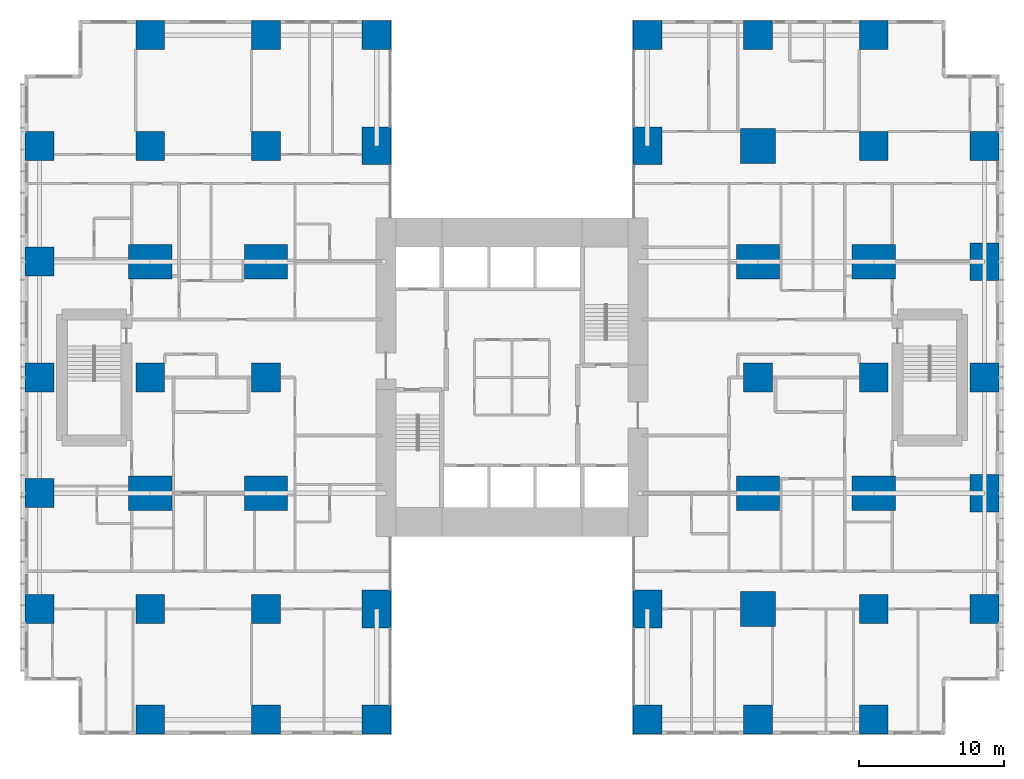
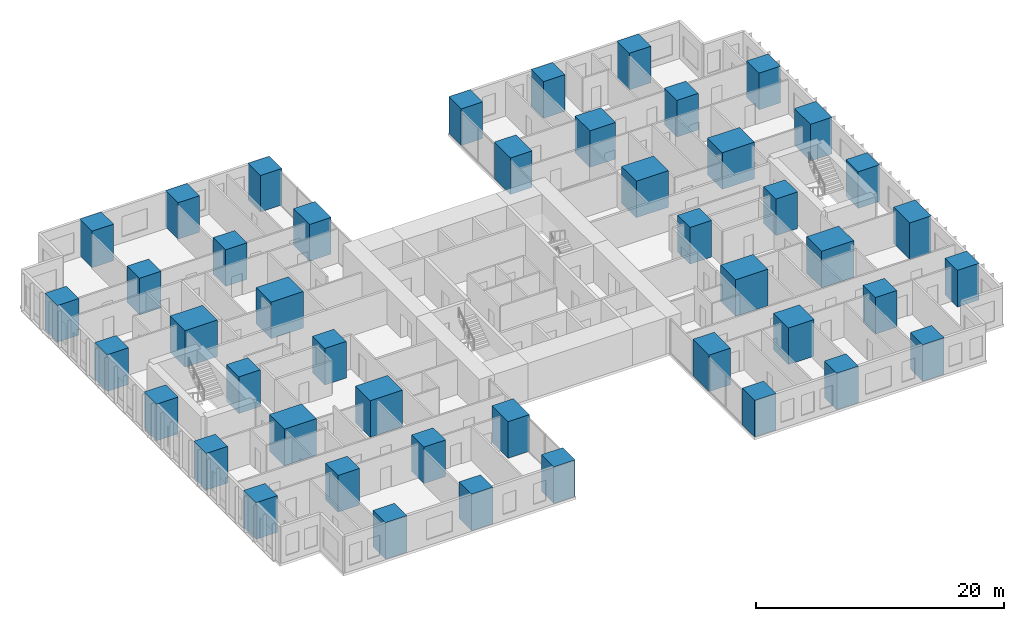
# One storey, part 1 of 20: 46 columns.
"""IFC4 building model written with IfcOpenShell, lengths in metres."""

from ifc_helpers import new_model, si_unit, direction, frame, origin, origin_2d, place, context, subcontext, project, spatial, rectangle, extrude, material, material_profile, profile_set, type_object, element, save


model = new_model("IFC4")

# Units and contexts
model_context = context("Model", 3, precision=1e-05, world=origin(), true_north=direction((0.0, 1.0)))
body_context = subcontext(model_context, "Body", "Model", "MODEL_VIEW")
ifc_project = project(units=[si_unit("LENGTHUNIT", "METRE"), si_unit("AREAUNIT", "SQUARE_METRE"), si_unit("VOLUMEUNIT", "CUBIC_METRE"), si_unit("PLANEANGLEUNIT", "RADIAN"), si_unit("MASSUNIT", "GRAM", prefix="KILO")], contexts=[model_context])

# Site, building, storey
site_placement = place(None, origin())
site = spatial("IfcSite", under=ifc_project, at=site_placement, CompositionType="ELEMENT")
building_placement = place(site_placement, origin())
building = spatial("IfcBuilding", under=site, at=building_placement, Name="Cleftline Residences", CompositionType="ELEMENT")
storey_placement = place(building_placement, frame((0.0, 0.0, 80.0)))
storey = spatial("IfcBuildingStorey", under=building, at=storey_placement, Name="L20", CompositionType="ELEMENT", Elevation=80.0)

# Columns
ifc_material_1 = material(Name="Concrete B70", Category="concrete")
ifc_material_profile_1 = material_profile(ifc_material_1, rectangle(XDim=2.0, YDim=2.0, at=origin_2d()))
ifc_profile_set_1 = profile_set([ifc_material_profile_1], Name="Concrete B70")
column_type_1 = type_object("IfcColumnType", Name="COLUMN RC2000X2000", PredefinedType="COLUMN", material=ifc_profile_set_1)
for number, where, z_axis, x_axis, name in (
    (1, (0.35009765625, 8.0, 0.0), (0.0, 0.0, 1.0), (1.0, 0.0, 0.0), "Column D/3"),
    (2, (0.35009765625, 16.0, 0.0), (0.0, 0.0, 1.0), (1.0, 0.0, 0.0), "Column E/3"),
    (3, (0.35009765625, 24.0, 0.0), (0.0, 0.0, 1.0), (1.0, 0.0, 0.0), "Column F/3"),
    (4, (0.35009765625, 32.0, 0.0), (0.0, 0.0, 1.0), (1.0, 0.0, 0.0), "Column G/3"),
    (5, (0.35009765625, 40.0, 0.0), (0.0, 0.0, 1.0), (1.0, 0.0, 0.0), "Column H/3"),
    (6, (8.0, 0.35009765625, 0.0), (0.0, 0.0, 1.0), (1.0, 0.0, 0.0), "Column C/4"),
    (7, (8.0, 8.0, 0.0), (0.0, 0.0, 1.0), (1.0, 0.0, 0.0), "Column D/4"),
    (8, (8.0, 24.0, 0.0), (0.0, 0.0, 1.0), (1.0, 0.0, 0.0), "Column F/4"),
    (9, (8.0, 40.0, 0.0), (0.0, 0.0, 1.0), (1.0, 0.0, 0.0), "Column H/4"),
    (10, (8.0, 47.64990234375, 0.0), (0.0, 0.0, 1.0), (1.0, 0.0, 0.0), "Column J/4"),
    (11, (16.0, 0.35009765625, 0.0), (0.0, 0.0, 1.0), (1.0, 0.0, 0.0), "Column C/5"),
    (12, (16.0, 8.0, 0.0), (0.0, 0.0, 1.0), (1.0, 0.0, 0.0), "Column D/5"),
    (13, (16.0, 24.0, 0.0), (0.0, 0.0, 1.0), (1.0, 0.0, 0.0), "Column F/5"),
    (14, (16.0, 40.0, 0.0), (0.0, 0.0, 1.0), (1.0, 0.0, 0.0), "Column H/5"),
    (15, (16.0, 47.64990234375, 0.0), (0.0, 0.0, 1.0), (1.0, 0.0, 0.0), "Column J/5"),
    (16, (23.64990234375, 0.35009765625, 0.0), (0.0, 0.0, 1.0), (1.0, 0.0, 0.0), "Column C/6"),
    (17, (23.64990234375, 47.64990234375, 0.0), (0.0, 0.0, 1.0), (1.0, 0.0, 0.0), "Column J/6"),
    (18, (42.35009765625, 0.35009765625, 0.0), (0.0, 0.0, 1.0), (1.0, 0.0, 0.0), "Column C/8"),
    (19, (42.35009765625, 47.64990234375, 0.0), (0.0, 0.0, 1.0), (1.0, 0.0, 0.0), "Column J/8"),
    (20, (50.0, 0.35009765625, 0.0), (0.0, 0.0, 1.0), (1.0, 0.0, 0.0), "Column C/9"),
    (21, (50.0, 24.0, 0.0), (0.0, 0.0, 1.0), (1.0, 0.0, 0.0), "Column F/9"),
    (22, (50.0, 47.64990234375, 0.0), (0.0, 0.0, 1.0), (1.0, 0.0, 0.0), "Column J/9"),
    (23, (58.0, 0.35009765625, 0.0), (0.0, 0.0, 1.0), (1.0, 0.0, 0.0), "Column C/10"),
    (24, (58.0, 8.0, 0.0), (0.0, 0.0, 1.0), (1.0, 0.0, 0.0), "Column D/10"),
    (25, (58.0, 24.0, 0.0), (0.0, 0.0, 1.0), (1.0, 0.0, 0.0), "Column F/10"),
    (26, (58.0, 40.0, 0.0), (0.0, 0.0, 1.0), (1.0, 0.0, 0.0), "Column H/10"),
    (27, (58.0, 47.64990234375, 0.0), (0.0, 0.0, 1.0), (1.0, 0.0, 0.0), "Column J/10"),
    (28, (65.64990234375, 8.0, 0.0), (0.0, 0.0, 1.0), (1.0, 0.0, 0.0), "Column D/11"),
    (29, (65.64990234375, 24.0, 0.0), (0.0, 0.0, 1.0), (1.0, 0.0, 0.0), "Column F/11"),
    (30, (65.64990234375, 40.0, 0.0), (0.0, 0.0, 1.0), (1.0, 0.0, 0.0), "Column H/11"),
):
    element("IfcColumn", number, at=place(storey_placement, frame(where, z_axis=z_axis, x_axis=x_axis)), inside=storey, type_object=column_type_1, Name=name, PredefinedType="COLUMN", context=body_context, shape_type="SweptSolid", body=[
        extrude(rectangle(XDim=2.0, YDim=2.0, at=origin_2d()), origin(), (0.0, 0.0, 1.0), 3.60009765625),
    ])
ifc_material_2 = material(Name="Concrete B70", Category="concrete")
ifc_material_profile_2 = material_profile(ifc_material_2, rectangle(XDim=2.0, YDim=2.60009765625, at=origin_2d()))
ifc_profile_set_2 = profile_set([ifc_material_profile_2], Name="Concrete B70")
column_type_2 = type_object("IfcColumnType", Name="COLUMN RC2000X2600", PredefinedType="COLUMN", material=ifc_profile_set_2)
for number, where, z_axis, x_axis, name in (
    (31, (23.64990234375, 8.0, 0.0), (0.0, 0.0, 1.0), (1.0, 0.0, 0.0), "Column D/6"),
    (32, (23.64990234375, 40.0, 0.0), (0.0, 0.0, 1.0), (1.0, 0.0, 0.0), "Column H/6"),
    (33, (42.35009765625, 8.0, 0.0), (0.0, 0.0, 1.0), (1.0, 0.0, 0.0), "Column D/8"),
    (34, (42.35009765625, 40.0, 0.0), (0.0, 0.0, 1.0), (1.0, 0.0, 0.0), "Column H/8"),
):
    element("IfcColumn", number, at=place(storey_placement, frame(where, z_axis=z_axis, x_axis=x_axis)), inside=storey, type_object=column_type_2, Name=name, PredefinedType="COLUMN", context=body_context, shape_type="SweptSolid", body=[
        extrude(rectangle(XDim=2.0, YDim=2.60009765625, at=origin_2d()), origin(), (0.0, 0.0, 1.0), 3.60009765625),
    ])
ifc_material_3 = material(Name="Concrete B70", Category="concrete")
ifc_material_profile_3 = material_profile(ifc_material_3, rectangle(XDim=2.39990234375, YDim=2.39990234375, at=origin_2d()))
ifc_profile_set_3 = profile_set([ifc_material_profile_3], Name="Concrete B70")
column_type_3 = type_object("IfcColumnType", Name="COLUMN RC2400X2400", PredefinedType="COLUMN", material=ifc_profile_set_3)
for number, where, z_axis, x_axis, name in (
    (35, (50.0, 8.0, 0.0), (0.0, 0.0, 1.0), (1.0, 0.0, 0.0), "Column D/9"),
    (36, (50.0, 40.0, 0.0), (0.0, 0.0, 1.0), (1.0, 0.0, 0.0), "Column H/9"),
):
    element("IfcColumn", number, at=place(storey_placement, frame(where, z_axis=z_axis, x_axis=x_axis)), inside=storey, type_object=column_type_3, Name=name, PredefinedType="COLUMN", context=body_context, shape_type="SweptSolid", body=[
        extrude(rectangle(XDim=2.39990234375, YDim=2.39990234375, at=origin_2d()), origin(), (0.0, 0.0, 1.0), 3.60009765625),
    ])
ifc_material_4 = material(Name="Concrete B70", Category="concrete")
ifc_material_profile_4 = material_profile(ifc_material_4, rectangle(XDim=2.60009765625, YDim=2.0, at=origin_2d()))
ifc_profile_set_4 = profile_set([ifc_material_profile_4], Name="Concrete B70")
column_type_4 = type_object("IfcColumnType", Name="COLUMN RC2600X2000", PredefinedType="COLUMN", material=ifc_profile_set_4)
for number, where, z_axis, x_axis, name in (
    (37, (65.64990234375, 16.0, 0.0), (0.0, 0.0, 1.0), (0.0, 1.0, 0.0), "Column E/11"),
    (38, (65.64990234375, 32.0, 0.0), (0.0, 0.0, 1.0), (0.0, 1.0, 0.0), "Column G/11"),
):
    element("IfcColumn", number, at=place(storey_placement, frame(where, z_axis=z_axis, x_axis=x_axis)), inside=storey, type_object=column_type_4, Name=name, PredefinedType="COLUMN", context=body_context, shape_type="SweptSolid", body=[
        extrude(rectangle(XDim=2.60009765625, YDim=2.0, at=origin_2d()), origin(), (0.0, 0.0, 1.0), 3.60009765625),
    ])
ifc_material_5 = material(Name="Concrete B70", Category="concrete")
ifc_material_profile_5 = material_profile(ifc_material_5, rectangle(XDim=3.0, YDim=2.39990234375, at=origin_2d()))
ifc_profile_set_5 = profile_set([ifc_material_profile_5], Name="Concrete B70")
column_type_5 = type_object("IfcColumnType", Name="COLUMN RC3000X2400", PredefinedType="COLUMN", material=ifc_profile_set_5)
for number, where, z_axis, x_axis, name in (
    (39, (8.0, 16.0, 0.0), (0.0, 0.0, 1.0), (1.0, 0.0, 0.0), "Column E/4"),
    (40, (8.0, 32.0, 0.0), (0.0, 0.0, 1.0), (1.0, 0.0, 0.0), "Column G/4"),
    (41, (16.0, 16.0, 0.0), (0.0, 0.0, 1.0), (1.0, 0.0, 0.0), "Column E/5"),
    (42, (16.0, 32.0, 0.0), (0.0, 0.0, 1.0), (1.0, 0.0, 0.0), "Column G/5"),
    (43, (50.0, 16.0, 0.0), (0.0, 0.0, 1.0), (1.0, 0.0, 0.0), "Column E/9"),
    (44, (50.0, 32.0, 0.0), (0.0, 0.0, 1.0), (1.0, 0.0, 0.0), "Column G/9"),
    (45, (58.0, 16.0, 0.0), (0.0, 0.0, 1.0), (1.0, 0.0, 0.0), "Column E/10"),
    (46, (58.0, 32.0, 0.0), (0.0, 0.0, 1.0), (1.0, 0.0, 0.0), "Column G/10"),
):
    element("IfcColumn", number, at=place(storey_placement, frame(where, z_axis=z_axis, x_axis=x_axis)), inside=storey, type_object=column_type_5, Name=name, PredefinedType="COLUMN", context=body_context, shape_type="SweptSolid", body=[
        extrude(rectangle(XDim=3.0, YDim=2.39990234375, at=origin_2d()), origin(), (0.0, 0.0, 1.0), 3.60009765625),
    ])

save(model, "model.ifc")
